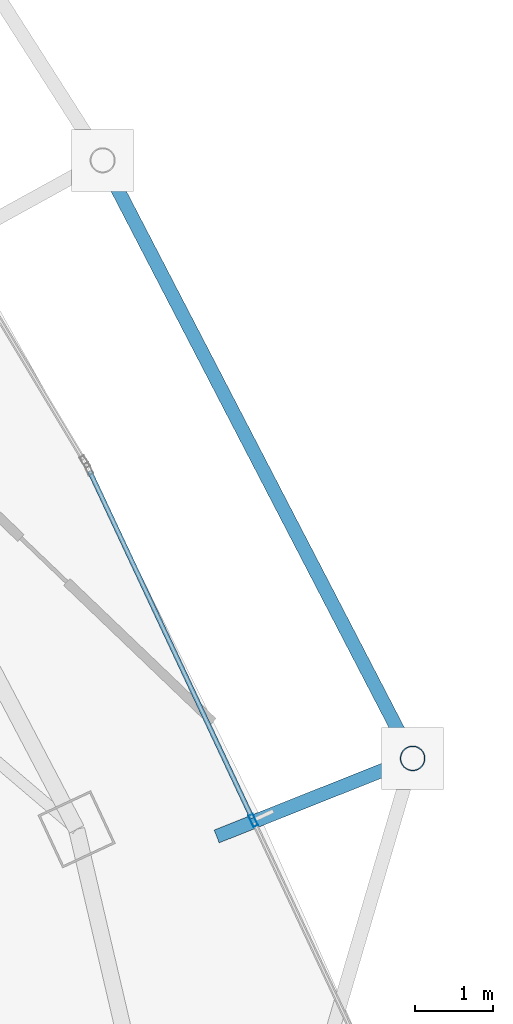
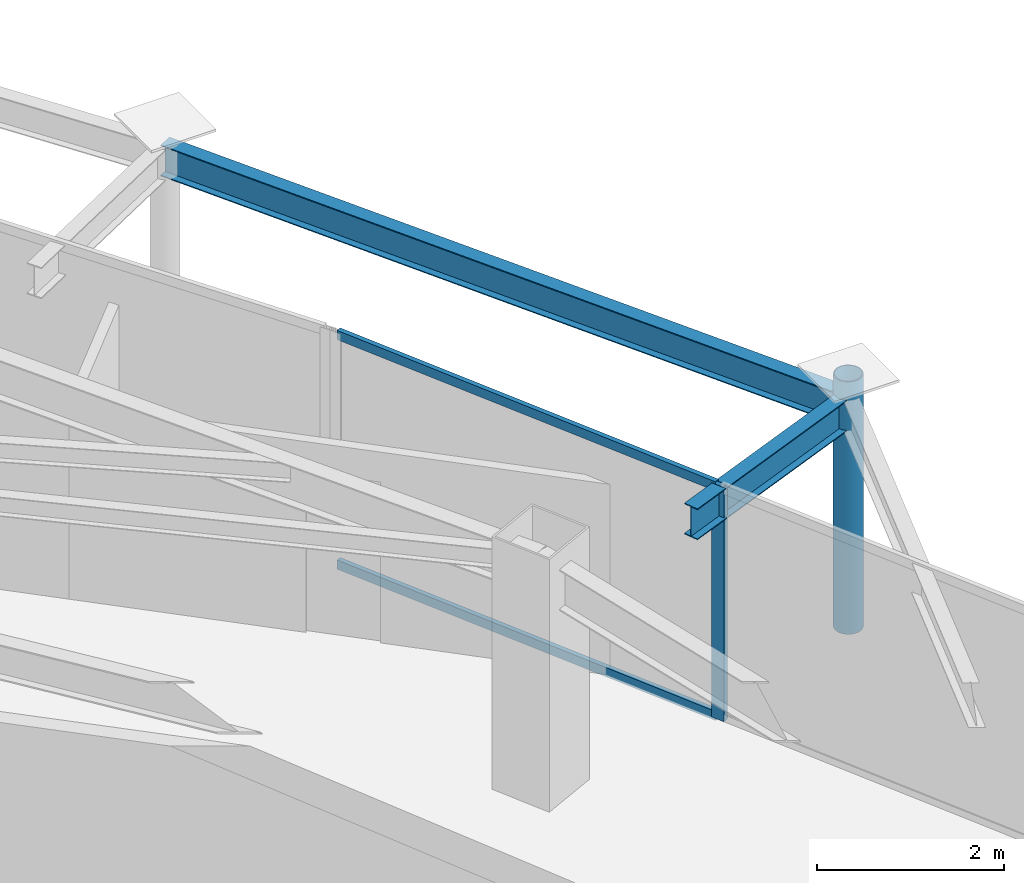
# One storey, part 19 of 32: 4 members, 2 beams, 1 element without a shape of its own.
"""IFC4 building model written with IfcOpenShell, lengths in metres."""

from ifc_helpers import new_model, si_unit, direction, frame, origin, origin_2d, place, context, subcontext, project, spatial, hollow_rectangle, hollow_circle, i_section, extrude, material, layer, layer_set, material_profile, profile_set, type_object, element, aggregate, save


model = new_model("IFC4")

# Units and contexts
model_context = context("Model", 3, precision=1e-05, world=origin(), true_north=direction((0.0, 1.0)))
body_context = subcontext(model_context, "Body", "Model", "MODEL_VIEW")
ifc_project = project(units=[si_unit("LENGTHUNIT", "METRE"), si_unit("AREAUNIT", "SQUARE_METRE"), si_unit("VOLUMEUNIT", "CUBIC_METRE"), si_unit("PLANEANGLEUNIT", "RADIAN"), si_unit("MASSUNIT", "GRAM", prefix="KILO")], contexts=[model_context])

# Site, building, storey
site_placement = place(None, origin())
site = spatial("IfcSite", under=ifc_project, at=site_placement, CompositionType="ELEMENT")
building_placement = place(site_placement, origin())
building = spatial("IfcBuilding", under=site, at=building_placement, Name="Orvanel Arch Residences", CompositionType="ELEMENT")
storey_placement = place(building_placement, frame((0.0, 0.0, 222.800048828125)))
storey = spatial("IfcBuildingStorey", under=building, at=storey_placement, Name="L63", CompositionType="ELEMENT", Elevation=222.800048828125)

# Curtain wall, member
ifc_material_1 = material(Name="Bronze-anodised aluminium AA6063-T6", Category="aluminium")
ifc_layer = layer(ifc_material_1, 0.175048828125)
ifc_layer_set = layer_set([ifc_layer], Name="Bronze-anodised aluminium AA6063-T6")
curtain_wall_type = type_object("IfcCurtainWallType", Name="CW4-HI-SYS", PredefinedType="NOTDEFINED", material=ifc_layer_set)
curtain_wall_placement = place(storey_placement, origin())
curtain_wall = element("IfcCurtainWall", 1, at=curtain_wall_placement, inside=storey, type_object=curtain_wall_type, Name="L63 CW4-HI-SYS Unitised Curtain Wall", PredefinedType="NOTDEFINED")
ifc_material_profile_1 = material_profile(ifc_material_1, hollow_rectangle(XDim=0.06494140625, YDim=0.159912109375, WallThickness=0.00390625, at=origin_2d()), Name="ALU160x65x4")
ifc_profile_set_1 = profile_set([ifc_material_profile_1], Name="Bronze-anodised aluminium AA6063-T6")
member_type_1 = type_object("IfcMemberType", Name="MUL-160x65", PredefinedType="MULLION", material=ifc_profile_set_1)
member_1_placement = place(storey_placement, frame((51.908447265625, 19.756103515625, 0.0), z_axis=(0.0, 0.0, 1.0), x_axis=(-0.905611523567, -0.424108203626, 0.0)))
member_1 = element("IfcMember", 2, at=member_1_placement, type_object=member_type_1, Name="CW-S4 mullion 2", PredefinedType="MULLION", context=body_context, shape_type="SweptSolid", body=[
    extrude(hollow_rectangle(XDim=0.06494140625, YDim=0.159912109375, WallThickness=0.00390625, at=origin_2d()), origin(), (0.0, 0.0, 1.0), 3.06005859375),
])

# Beams
ifc_material_2 = material(Name="Structural steel AS/NZS 3679.1 Grade 300 (300 MPa)", Category="steel")
ifc_material_profile_2 = material_profile(ifc_material_2, i_section(OverallWidth=0.177978515625, OverallDepth=0.406005859375, WebThickness=0.0078125, FlangeThickness=0.0126953125, at=origin_2d()), Name="410UB59.7")
ifc_profile_set_2 = profile_set([ifc_material_profile_2], Name="Structural steel AS/NZS 3679.1 Grade 300 (300 MPa)")
beam_type = type_object("IfcBeamType", Name="OB-410UB-EXT", PredefinedType="SPANDREL", material=ifc_profile_set_2)
beam_1_placement = place(storey_placement, frame((51.43701171875, 19.550048828125, 2.85693359375), z_axis=(0.929045348228, 0.369965864556, 0.0), x_axis=(-0.369965864556, 0.929045348228, 0.0)))
element("IfcBeam", 3, at=beam_1_placement, inside=storey, type_object=beam_type, Name="L63 Outer Frame Radial Tie Beam 09", PredefinedType="SPANDREL", context=body_context, shape_type="SweptSolid", body=[
    extrude(i_section(OverallWidth=0.177978515625, OverallDepth=0.406005859375, WebThickness=0.0078125, FlangeThickness=0.0126953125, at=origin_2d()), origin(), (0.0, 0.0, 1.0), 2.71875),
])
beam_2_placement = place(storey_placement, frame((53.962890625, 20.555908203125, 2.85693359375), z_axis=(-0.460193201486, 0.887818797563, 0.0), x_axis=(-0.887818797563, -0.460193201486, 0.0)))
element("IfcBeam", 4, at=beam_2_placement, inside=storey, type_object=beam_type, Name="L63 Outer Perimeter Floor Ring Beam 09", PredefinedType="SPANDREL", context=body_context, shape_type="SweptSolid", body=[
    extrude(i_section(OverallWidth=0.177978515625, OverallDepth=0.406005859375, WebThickness=0.0078125, FlangeThickness=0.0126953125, at=origin_2d()), origin(), (0.0, 0.0, 1.0), 8.680908203125),
])

# Member
ifc_material_3 = material(Name="Structural steel AS/NZS 1163 C350L0 (Grade 350)", Category="steel")
ifc_material_profile_3 = material_profile(ifc_material_3, hollow_circle(Radius=0.162109375, WallThickness=0.0126953125, at=origin_2d()), Name="CHS324x12.7")
ifc_profile_set_3 = profile_set([ifc_material_profile_3], Name="Structural steel AS/NZS 1163 C350L0 (Grade 350)")
member_type_2 = type_object("IfcMemberType", Name="ST-324CHS-EXT", PredefinedType="STRUT", material=ifc_profile_set_3)
member_2_placement = place(storey_placement, frame((53.962890625, 20.555908203125, 0.0), z_axis=(0.0, 0.0, 1.0), x_axis=(1.0, 0.0, 0.0)))
element("IfcMember", 5, at=member_2_placement, inside=storey, type_object=member_type_2, Name="L63 Outer Perimeter Frame Post 09", PredefinedType="STRUT", context=body_context, shape_type="SweptSolid", body=[
    extrude(hollow_circle(Radius=0.162109375, WallThickness=0.0126953125, at=origin_2d()), origin(), (0.0, 0.0, 1.0), 3.300048828125),
])

ifc_material_profile_4 = material_profile(ifc_material_1, hollow_rectangle(XDim=0.06005859375, YDim=0.1201171875, WallThickness=0.00341796875, at=origin_2d()), Name="ALU120x60x3.5")
ifc_profile_set_4 = profile_set([ifc_material_profile_4], Name="Bronze-anodised aluminium AA6063-T6")
member_type_3 = type_object("IfcMemberType", Name="TRN-120x60", PredefinedType="USERDEFINED", material=ifc_profile_set_4)
member_3_placement = place(storey_placement, frame((51.894775390625, 19.785400390625, 0.030029296875), z_axis=(-0.424124761503, 0.90560376914, 0.0), x_axis=(-0.90560376914, -0.424124761503, 0.0)))
member_3 = element("IfcMember", 6, at=member_3_placement, type_object=member_type_3, Name="CW-S4 transom 2.1", ObjectType="TRANSOM", PredefinedType="USERDEFINED", context=body_context, shape_type="SweptSolid", body=[
    extrude(hollow_rectangle(XDim=0.06005859375, YDim=0.1201171875, WallThickness=0.00341796875, at=origin_2d()), origin(), (0.0, 0.0, 1.0), 4.937744140625),
])

member_4_placement = place(storey_placement, frame((51.894775390625, 19.785400390625, 3.030029296875), z_axis=(-0.424124761503, 0.90560376914, 0.0), x_axis=(-0.90560376914, -0.424124761503, 0.0)))
member_4 = element("IfcMember", 7, at=member_4_placement, type_object=member_type_3, Name="CW-S4 transom 2.2", ObjectType="TRANSOM", PredefinedType="USERDEFINED", context=body_context, shape_type="SweptSolid", body=[
    extrude(hollow_rectangle(XDim=0.06005859375, YDim=0.1201171875, WallThickness=0.00341796875, at=origin_2d()), origin(), (0.0, 0.0, 1.0), 4.937744140625),
])

aggregate(curtain_wall, [member_1, member_3, member_4])

save(model, "model.ifc")
